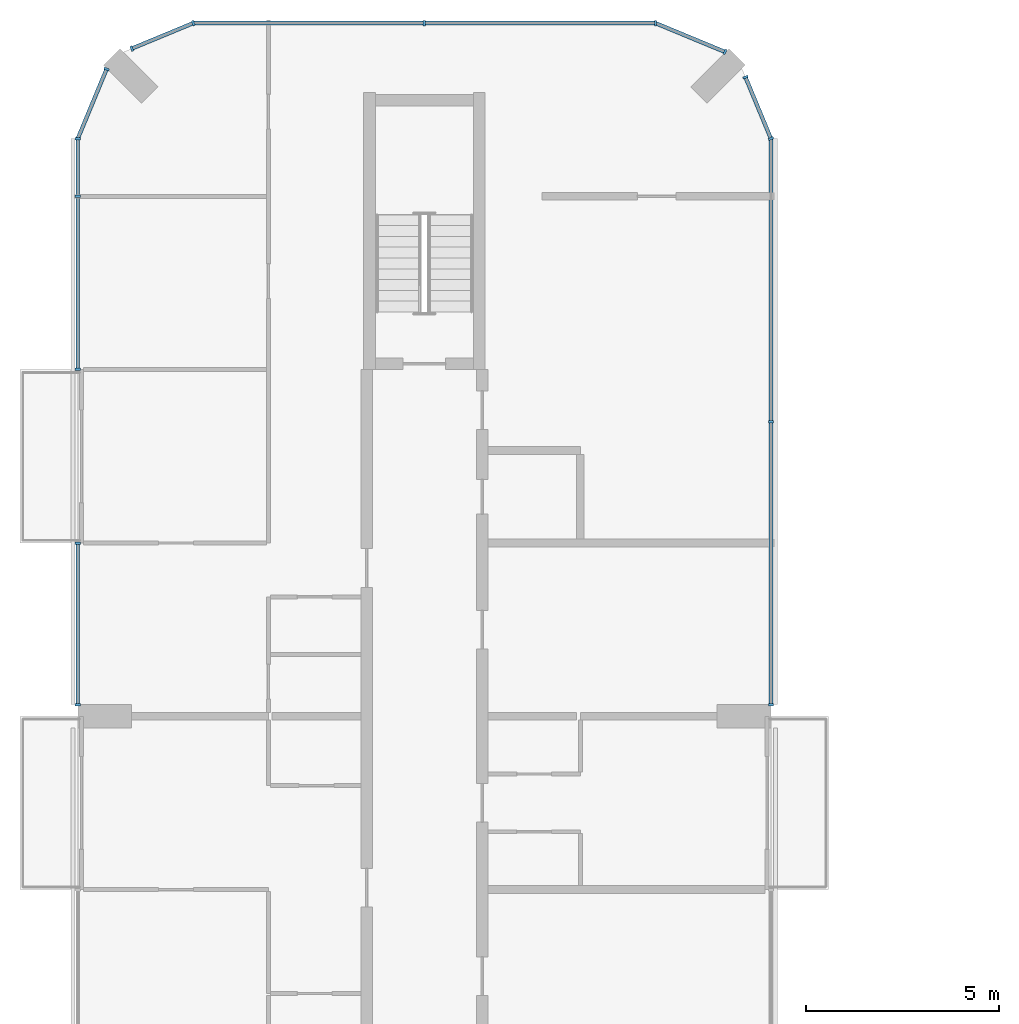
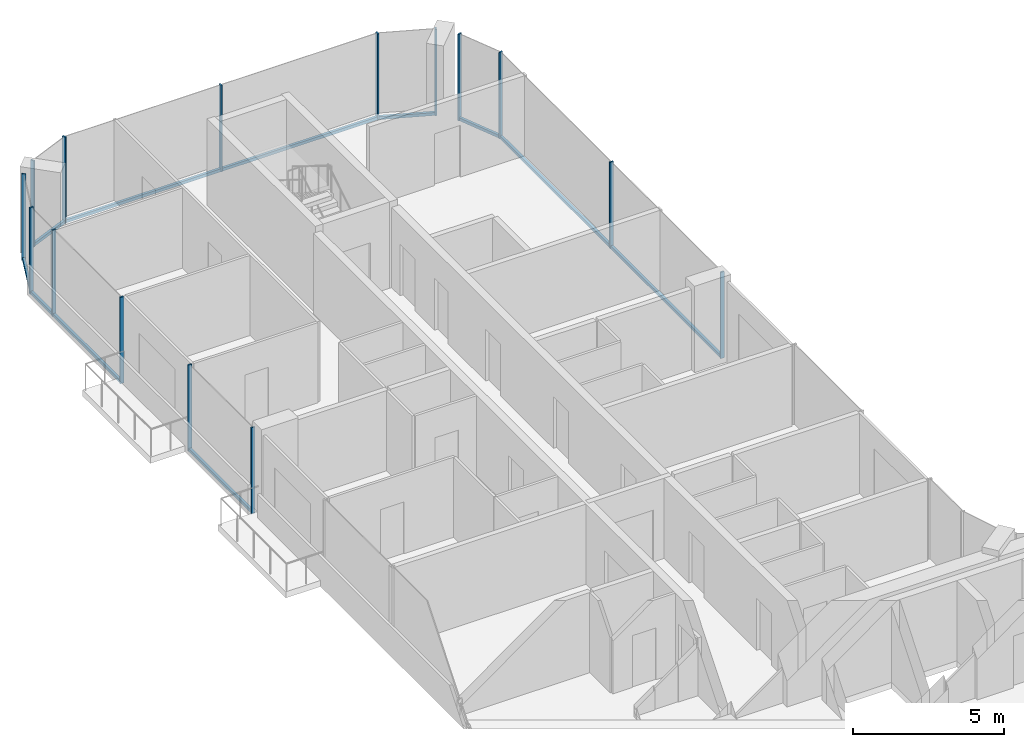
# One storey, part 7 of 15: 23 members, 8 elements without a shape of their own.
"""IFC4 building model written with IfcOpenShell, lengths in metres."""

import ifcopenshell
import ifcopenshell.guid

model = None  # the IFC model being written
_history = None  # IfcOwnerHistory: only IFC2X3 demands one
_inside = {}  # id of a spatial element -> (the spatial element, [elements in it])
_under = {}  # id of a project, library or spatial element -> (it, [spatial elements below it])
_declared = {}  # id of a project -> (the project, [libraries it declares])
_typed = {}  # id of a type object -> (the type object, [elements of that type])
_made_of = {}  # id of a material, layer set ... -> (it, [elements and type objects made of it])


def new_model(schema):
    """Start an empty IFC model of exactly this schema.

    Asked for "IFC4X3", IfcOpenShell would pick the latest addendum, in which some entities
    have other attributes; the version numbers below select the first issue.
    IFC2X3 requires an IfcOwnerHistory on every rooted entity: one is made here for all.
    """
    global model, _history
    if schema == "IFC4X3":
        model = ifcopenshell.file(schema_version=(4, 3, 0, 0))
    else:
        model = ifcopenshell.file(schema=schema)
    _inside.clear()
    _under.clear()
    _declared.clear()
    _typed.clear()
    _made_of.clear()
    _history = None
    if model.schema == "IFC2X3":
        org = make("IfcOrganization", Name="unknown")
        user = make(
            "IfcPersonAndOrganization",
            ThePerson=make("IfcPerson", FamilyName="unknown"),
            TheOrganization=org,
        )
        app = make(
            "IfcApplication",
            ApplicationDeveloper=org,
            Version="unknown",
            ApplicationFullName="unknown",
            ApplicationIdentifier="unknown",
        )
        _history = make(
            "IfcOwnerHistory",
            OwningUser=user,
            OwningApplication=app,
            ChangeAction="ADDED",
            CreationDate=0,
        )
    return model


def make(cls, **values):
    """One entity of the class cls with the attributes given. An attribute that is None is left unset."""
    return model.create_entity(
        cls, **{name: value for name, value in values.items() if value is not None}
    )


def rooted(cls, **values):
    """An entity with a GlobalId (a new one), such as an element, a storey or a relation."""
    return make(cls, GlobalId=ifcopenshell.guid.new(), OwnerHistory=_history, **values)


def si_unit(unit_type, name, prefix=None):
    """IfcSIUnit, for example si_unit("LENGTHUNIT", "METRE", prefix="MILLI")."""
    return make("IfcSIUnit", UnitType=unit_type, Prefix=prefix, Name=name)


def assignment(units):
    """IfcUnitAssignment: the units of a project."""
    return None if units is None else make("IfcUnitAssignment", Units=units)


def point(xyz):
    """IfcCartesianPoint."""
    return None if xyz is None else make("IfcCartesianPoint", Coordinates=xyz)


def direction(xyz):
    """IfcDirection."""
    return None if xyz is None else make("IfcDirection", DirectionRatios=xyz)


def frame(location, z_axis=None, x_axis=None):
    """IfcAxis2Placement3D, a coordinate frame: its origin and axes. An axis left out is left unset."""
    return make(
        "IfcAxis2Placement3D",
        Location=point(location),
        Axis=direction(z_axis),
        RefDirection=direction(x_axis),
    )


def frame_2d(location, x_axis=None):
    """IfcAxis2Placement2D, a coordinate frame in the plane: its origin and x axis."""
    return make(
        "IfcAxis2Placement2D", Location=point(location), RefDirection=direction(x_axis)
    )


def origin():
    """The frame at (0, 0, 0) with its axes left unset."""
    return frame((0.0, 0.0, 0.0))


def origin_2d():
    """The frame at (0, 0) in the plane with its x axis left unset."""
    return frame_2d((0.0, 0.0))


def place(relative_to, where):
    """IfcLocalPlacement: puts the frame where relative to a parent placement (None: the world)."""
    return make(
        "IfcLocalPlacement", PlacementRelTo=relative_to, RelativePlacement=where
    )


def context(
    kind, dimensions, precision=None, world=None, true_north=None, identifier=None
):
    """IfcGeometricRepresentationContext, for example the 3D "Model" context."""
    return make(
        "IfcGeometricRepresentationContext",
        ContextIdentifier=identifier,
        ContextType=kind,
        CoordinateSpaceDimension=dimensions,
        Precision=precision,
        WorldCoordinateSystem=world,
        TrueNorth=true_north,
    )


def subcontext(parent, identifier, kind, view, scale=None):
    """IfcGeometricRepresentationSubContext, for example "Body" below "Model"."""
    return make(
        "IfcGeometricRepresentationSubContext",
        ContextIdentifier=identifier,
        ContextType=kind,
        ParentContext=parent,
        TargetScale=scale,
        TargetView=view,
    )


def project(units=None, contexts=None):
    """IfcProject with its units and contexts."""
    return rooted(
        "IfcProject",
        Name="project",
        RepresentationContexts=contexts,
        UnitsInContext=assignment(units),
    )


def spatial(cls, under=None, at=None, **own):
    """A site, building, storey or space (cls), placed at a placement, below another one or the project."""
    s = rooted(cls, ObjectPlacement=at, **own)
    if under is not None:
        _under.setdefault(under.id(), (under, []))[1].append(s)
    return s


def profile(cls, at=None, kind="AREA", **sizes):
    """A parametric profile (cls). Its sizes go by their IFC names, for example OverallWidth=200.0."""
    return make(cls, ProfileType=kind, Position=at, **sizes)


def rectangle(**sizes):
    """IfcRectangleProfileDef."""
    return profile("IfcRectangleProfileDef", **sizes)


def extrude(swept, where, along, depth):
    """IfcExtrudedAreaSolid: the profile swept, set in the frame where, extruded along a direction by depth."""
    return make(
        "IfcExtrudedAreaSolid",
        SweptArea=swept,
        Position=where,
        ExtrudedDirection=direction(along),
        Depth=depth,
    )


def shape(context_of_items, identifier, shape_type, items):
    """IfcShapeRepresentation: the items that make up one representation, for example the "Body"."""
    return make(
        "IfcShapeRepresentation",
        ContextOfItems=context_of_items,
        RepresentationIdentifier=identifier,
        RepresentationType=shape_type,
        Items=items,
    )


def material(Name=None, Category=None):
    """IfcMaterial."""
    return make("IfcMaterial", Name=Name, Category=Category)


def layer(
    of_material, thickness, ventilated=None, Name=None, Category=None, Priority=None
):
    """IfcMaterialLayer: one layer of a wall or slab, of a material (None: an air gap)."""
    return make(
        "IfcMaterialLayer",
        Material=of_material,
        LayerThickness=thickness,
        IsVentilated=ventilated,
        Name=Name,
        Category=Category,
        Priority=Priority,
    )


def layer_set(layers, Name=None):
    """IfcMaterialLayerSet."""
    return make("IfcMaterialLayerSet", MaterialLayers=layers, LayerSetName=Name)


def material_profile(
    of_material, cross_section, Name=None, Category=None, Priority=None
):
    """IfcMaterialProfile: a cross section and its material."""
    return make(
        "IfcMaterialProfile",
        Name=Name,
        Material=of_material,
        Profile=cross_section,
        Priority=Priority,
        Category=Category,
    )


def profile_set(profiles, Name=None, composite=None):
    """IfcMaterialProfileSet."""
    return make(
        "IfcMaterialProfileSet",
        Name=Name,
        MaterialProfiles=profiles,
        CompositeProfile=composite,
    )


def made_of(thing, what):
    """Note that an element or type object is made of a material, layer set ...; save() writes the relation."""
    if what is not None:
        _made_of.setdefault(what.id(), (what, []))[1].append(thing)
    return thing


def type_object(cls, material=None, **own):
    """A type object (cls), such as IfcWallType, which elements share."""
    return made_of(rooted(cls, **own), material)


def element(
    cls,
    number,
    at=None,
    inside=None,
    cuts=None,
    type_object=None,
    material=None,
    context=None,
    identifier="Body",
    shape_type=None,
    held_by="IfcProductDefinitionShape",
    body=None,
    shapes=None,
    **own,
):
    """One element of the class cls, such as IfcWall. Its Tag is "e" and its number.

    at: its placement. inside: the storey or other place that contains it. cuts: it is an
    opening in that element (IfcRelVoidsElement). A single representation is given by context,
    identifier, shape_type and body (its items); several are given by shapes. held_by: the class
    of the entity that holds the representations. save() writes the other relations.
    """
    e = rooted(cls, Tag="e%d" % number, ObjectPlacement=at, **own)
    if body is not None:
        shapes = [shape(context, identifier, shape_type, body)]
    if shapes is not None:
        e.Representation = make(held_by, Representations=shapes)
    if inside is not None:
        _inside.setdefault(inside.id(), (inside, []))[1].append(e)
    if cuts is not None:
        rooted(
            "IfcRelVoidsElement", RelatingBuildingElement=cuts, RelatedOpeningElement=e
        )
    if type_object is not None:
        _typed.setdefault(type_object.id(), (type_object, []))[1].append(e)
    return made_of(e, material)


def aggregate(whole, parts):
    """IfcRelAggregates: a whole, such as a stair, and the parts it consists of."""
    return rooted("IfcRelAggregates", RelatingObject=whole, RelatedObjects=parts)


def save(model, path):
    """Write the relations noted so far, then the file.

    IfcRelAggregates (storeys below a building ...), IfcRelContainedInSpatialStructure (elements
    in a storey), IfcRelDefinesByType, IfcRelAssociatesMaterial and IfcRelDeclares: one each for
    every whole, place, type object, material and project.
    """
    for whole, parts in _under.values():
        aggregate(whole, parts)
    for where, things in _inside.values():
        rooted(
            "IfcRelContainedInSpatialStructure",
            RelatedElements=things,
            RelatingStructure=where,
        )
    for kind, things in _typed.values():
        rooted("IfcRelDefinesByType", RelatedObjects=things, RelatingType=kind)
    for what, things in _made_of.values():
        rooted("IfcRelAssociatesMaterial", RelatedObjects=things, RelatingMaterial=what)
    for by, libraries in _declared.values():
        rooted("IfcRelDeclares", RelatingContext=by, RelatedDefinitions=libraries)
    model.write(path)


model = new_model("IFC4")

# Units and contexts
model_context = context("Model", 3, precision=1e-05, world=origin(), true_north=direction((0.0, 1.0)))
body_context = subcontext(model_context, "Body", "Model", "MODEL_VIEW")
ifc_project = project(units=[si_unit("LENGTHUNIT", "METRE"), si_unit("AREAUNIT", "SQUARE_METRE"), si_unit("VOLUMEUNIT", "CUBIC_METRE"), si_unit("PLANEANGLEUNIT", "RADIAN"), si_unit("MASSUNIT", "GRAM", prefix="KILO")], contexts=[model_context])

# Site, building, storey
site_placement = place(None, origin())
site = spatial("IfcSite", under=ifc_project, at=site_placement, CompositionType="ELEMENT")
building_placement = place(site_placement, origin())
building = spatial("IfcBuilding", under=site, at=building_placement, Name="Plateau Cross Towers", CompositionType="ELEMENT")
storey_placement = place(building_placement, frame((0.0, 0.0, 174.39990234375)))
storey = spatial("IfcBuildingStorey", under=building, at=storey_placement, Name="L45", CompositionType="ELEMENT", Elevation=174.39990234375)

# Curtain wall, members
ifc_material_1 = material(Name="Dark low-iron glass", Category="glass")
ifc_layer = layer(ifc_material_1, 0.239990234375)
ifc_layer_set = layer_set([ifc_layer], Name="Dark low-iron glass")
curtain_wall_type = type_object("IfcCurtainWallType", Name="Curtain wall flush unitised CW-B", PredefinedType="NOTDEFINED", material=ifc_layer_set)
curtain_wall_1_placement = place(storey_placement, origin())
curtain_wall_1 = element("IfcCurtainWall", 1, at=curtain_wall_1_placement, inside=storey, type_object=curtain_wall_type, Name="ENV/A/L45/A180_363", PredefinedType="NOTDEFINED")
ifc_material_2 = material(Name="Black anodised aluminium", Category="aluminium")
ifc_material_profile_1 = material_profile(ifc_material_2, rectangle(XDim=0.06005859375, YDim=0.139892578125, at=origin_2d()), Name="MULLION 60x140")
ifc_profile_set_1 = profile_set([ifc_material_profile_1], Name="Black anodised aluminium")
member_type_1 = type_object("IfcMemberType", Name="Mullion 60x140 flush unitised", PredefinedType="MULLION", material=ifc_profile_set_1)
member_1_placement = place(storey_placement, frame((18.0, 36.300048828125, -0.25), z_axis=(0.0, 0.0, 1.0), x_axis=(0.0, 1.0, 0.0)))
member_1 = element("IfcMember", 2, at=member_1_placement, type_object=member_type_1, Name="CW-B mullion 1", PredefinedType="MULLION", context=body_context, shape_type="SweptSolid", body=[
    extrude(rectangle(XDim=0.06005859375, YDim=0.139892578125, at=origin_2d()), origin(), (0.0, 0.0, 1.0), 3.5),
])
member_2_placement = place(storey_placement, frame((18.0, 43.64990234375, -0.25), z_axis=(0.0, 0.0, 1.0), x_axis=(0.0, 1.0, 0.0)))
member_2 = element("IfcMember", 3, at=member_2_placement, type_object=member_type_1, Name="CW-B mullion 2", PredefinedType="MULLION", context=body_context, shape_type="SweptSolid", body=[
    extrude(rectangle(XDim=0.06005859375, YDim=0.139892578125, at=origin_2d()), origin(), (0.0, 0.0, 1.0), 3.5),
])

curtain_wall_2_placement = place(storey_placement, origin())
curtain_wall_2 = element("IfcCurtainWall", 4, at=curtain_wall_2_placement, inside=storey, type_object=curtain_wall_type, Name="ENV/A/L45/A180_510", PredefinedType="NOTDEFINED")
member_3_placement = place(storey_placement, frame((18.0, 51.0, -0.25), z_axis=(0.0, 0.0, 1.0), x_axis=(-0.382683612978, 0.923879457699, 0.0)))
member_3 = element("IfcMember", 5, at=member_3_placement, type_object=member_type_1, Name="CW-B mullion 1", PredefinedType="MULLION", context=body_context, shape_type="SweptSolid", body=[
    extrude(rectangle(XDim=0.06005859375, YDim=0.139892578125, at=origin_2d()), origin(), (0.0, 0.0, 1.0), 3.5),
])
member_4_placement = place(storey_placement, frame((17.338623046875, 52.5966796875, -0.25), z_axis=(0.0, 0.0, 1.0), x_axis=(-0.382683612978, 0.923879457699, 0.0)))
member_4 = element("IfcMember", 6, at=member_4_placement, type_object=member_type_1, Name="CW-B mullion 2", PredefinedType="MULLION", context=body_context, shape_type="SweptSolid", body=[
    extrude(rectangle(XDim=0.06005859375, YDim=0.139892578125, at=origin_2d()), origin(), (0.0, 0.0, 1.0), 3.5),
])

# Curtain wall, member
curtain_wall_3_placement = place(storey_placement, origin())
curtain_wall_3 = element("IfcCurtainWall", 7, at=curtain_wall_3_placement, inside=storey, type_object=curtain_wall_type, Name="ENV/A/L45/A168_533", PredefinedType="NOTDEFINED")
member_5_placement = place(storey_placement, frame((16.805908203125, 53.251953125, -0.25), z_axis=(0.0, 0.0, 1.0), x_axis=(-0.923879457699, 0.382683612978, 0.0)))
member_5 = element("IfcMember", 8, at=member_5_placement, type_object=member_type_1, Name="CW-B mullion 1", PredefinedType="MULLION", context=body_context, shape_type="SweptSolid", body=[
    extrude(rectangle(XDim=0.06005859375, YDim=0.139892578125, at=origin_2d()), origin(), (0.0, 0.0, 1.0), 3.5),
])

# Curtain wall, members
curtain_wall_4_placement = place(storey_placement, origin())
curtain_wall_4 = element("IfcCurtainWall", 9, at=curtain_wall_4_placement, inside=storey, type_object=curtain_wall_type, Name="ENV/A/L45/A150_540", PredefinedType="NOTDEFINED")
member_6_placement = place(storey_placement, frame((15.0, 54.0, -0.25), z_axis=(0.0, 0.0, 1.0), x_axis=(-1.0, 0.0, 0.0)))
member_6 = element("IfcMember", 10, at=member_6_placement, type_object=member_type_1, Name="CW-B mullion 1", PredefinedType="MULLION", context=body_context, shape_type="SweptSolid", body=[
    extrude(rectangle(XDim=0.06005859375, YDim=0.139892578125, at=origin_2d()), origin(), (0.0, 0.0, 1.0), 3.5),
])
member_7_placement = place(storey_placement, frame((9.0, 54.0, -0.25), z_axis=(0.0, 0.0, 1.0), x_axis=(-1.0, 0.0, 0.0)))
member_7 = element("IfcMember", 11, at=member_7_placement, type_object=member_type_1, Name="CW-B mullion 2", PredefinedType="MULLION", context=body_context, shape_type="SweptSolid", body=[
    extrude(rectangle(XDim=0.06005859375, YDim=0.139892578125, at=origin_2d()), origin(), (0.0, 0.0, 1.0), 3.5),
])

curtain_wall_5_placement = place(storey_placement, origin())
curtain_wall_5 = element("IfcCurtainWall", 12, at=curtain_wall_5_placement, inside=storey, type_object=curtain_wall_type, Name="ENV/A/L45/A30_540", PredefinedType="NOTDEFINED")
member_8_placement = place(storey_placement, frame((3.0, 54.0, -0.25), z_axis=(0.0, 0.0, 1.0), x_axis=(-0.923879457699, -0.382683612978, 0.0)))
member_8 = element("IfcMember", 13, at=member_8_placement, type_object=member_type_1, Name="CW-B mullion 1", PredefinedType="MULLION", context=body_context, shape_type="SweptSolid", body=[
    extrude(rectangle(XDim=0.06005859375, YDim=0.139892578125, at=origin_2d()), origin(), (0.0, 0.0, 1.0), 3.5),
])
member_9_placement = place(storey_placement, frame((1.4033203125, 53.338623046875, -0.25), z_axis=(0.0, 0.0, 1.0), x_axis=(-0.923879457699, -0.382683612978, 0.0)))
member_9 = element("IfcMember", 14, at=member_9_placement, type_object=member_type_1, Name="CW-B mullion 2", PredefinedType="MULLION", context=body_context, shape_type="SweptSolid", body=[
    extrude(rectangle(XDim=0.06005859375, YDim=0.139892578125, at=origin_2d()), origin(), (0.0, 0.0, 1.0), 3.5),
])

# Curtain wall, member
curtain_wall_6_placement = place(storey_placement, origin())
curtain_wall_6 = element("IfcCurtainWall", 15, at=curtain_wall_6_placement, inside=storey, type_object=curtain_wall_type, Name="ENV/A/L45/A7_528", PredefinedType="NOTDEFINED")
member_10_placement = place(storey_placement, frame((0.748046875, 52.805908203125, -0.25), z_axis=(0.0, 0.0, 1.0), x_axis=(-0.382683612978, -0.923879457699, 0.0)))
member_10 = element("IfcMember", 16, at=member_10_placement, type_object=member_type_1, Name="CW-B mullion 1", PredefinedType="MULLION", context=body_context, shape_type="SweptSolid", body=[
    extrude(rectangle(XDim=0.06005859375, YDim=0.139892578125, at=origin_2d()), origin(), (0.0, 0.0, 1.0), 3.5),
])

# Curtain wall, members
curtain_wall_7_placement = place(storey_placement, origin())
curtain_wall_7 = element("IfcCurtainWall", 17, at=curtain_wall_7_placement, inside=storey, type_object=curtain_wall_type, Name="ENV/A/L45/A0_510", PredefinedType="NOTDEFINED")
member_11_placement = place(storey_placement, frame((0.0, 51.0, -0.25), z_axis=(0.0, 0.0, 1.0), x_axis=(0.0, -1.0, 0.0)))
member_11 = element("IfcMember", 18, at=member_11_placement, type_object=member_type_1, Name="CW-B mullion 1", PredefinedType="MULLION", context=body_context, shape_type="SweptSolid", body=[
    extrude(rectangle(XDim=0.06005859375, YDim=0.139892578125, at=origin_2d()), origin(), (0.0, 0.0, 1.0), 3.5),
])
member_12_placement = place(storey_placement, frame((0.0, 49.5, -0.25), z_axis=(0.0, 0.0, 1.0), x_axis=(0.0, -1.0, 0.0)))
member_12 = element("IfcMember", 19, at=member_12_placement, type_object=member_type_1, Name="CW-B mullion 2", PredefinedType="MULLION", context=body_context, shape_type="SweptSolid", body=[
    extrude(rectangle(XDim=0.06005859375, YDim=0.139892578125, at=origin_2d()), origin(), (0.0, 0.0, 1.0), 3.5),
])
member_13_placement = place(storey_placement, frame((0.0, 45.010009765625, -0.25), z_axis=(0.0, 0.0, 1.0), x_axis=(0.0, -1.0, 0.0)))
member_13 = element("IfcMember", 20, at=member_13_placement, type_object=member_type_1, Name="CW-B mullion 3", PredefinedType="MULLION", context=body_context, shape_type="SweptSolid", body=[
    extrude(rectangle(XDim=0.06005859375, YDim=0.139892578125, at=origin_2d()), origin(), (0.0, 0.0, 1.0), 3.5),
])

curtain_wall_8_placement = place(storey_placement, origin())
curtain_wall_8 = element("IfcCurtainWall", 21, at=curtain_wall_8_placement, inside=storey, type_object=curtain_wall_type, Name="ENV/A/L45/A0_405", PredefinedType="NOTDEFINED")
member_14_placement = place(storey_placement, frame((0.0, 40.489990234375, -0.25), z_axis=(0.0, 0.0, 1.0), x_axis=(0.0, -1.0, 0.0)))
member_14 = element("IfcMember", 22, at=member_14_placement, type_object=member_type_1, Name="CW-B mullion 1", PredefinedType="MULLION", context=body_context, shape_type="SweptSolid", body=[
    extrude(rectangle(XDim=0.06005859375, YDim=0.139892578125, at=origin_2d()), origin(), (0.0, 0.0, 1.0), 3.5),
])
member_15_placement = place(storey_placement, frame((0.0, 36.300048828125, -0.25), z_axis=(0.0, 0.0, 1.0), x_axis=(0.0, -1.0, 0.0)))
member_15 = element("IfcMember", 23, at=member_15_placement, type_object=member_type_1, Name="CW-B mullion 2", PredefinedType="MULLION", context=body_context, shape_type="SweptSolid", body=[
    extrude(rectangle(XDim=0.06005859375, YDim=0.139892578125, at=origin_2d()), origin(), (0.0, 0.0, 1.0), 3.5),
])

# Member
ifc_material_profile_2 = material_profile(ifc_material_2, rectangle(XDim=0.10009765625, YDim=0.1201171875, at=origin_2d()), Name="TRANSOM 100x120")
ifc_profile_set_2 = profile_set([ifc_material_profile_2], Name="Black anodised aluminium")
member_type_2 = type_object("IfcMemberType", Name="Transom 100x120 flush unitised", PredefinedType="USERDEFINED", material=ifc_profile_set_2)
member_16_placement = place(storey_placement, frame((18.0, 36.300048828125, -0.18994140625), z_axis=(0.0, 1.0, 0.0), x_axis=(-1.0, 0.0, 0.0)))
member_16 = element("IfcMember", 24, at=member_16_placement, type_object=member_type_2, Name="CW-B transom", ObjectType="TRANSOM", PredefinedType="USERDEFINED", context=body_context, shape_type="SweptSolid", body=[
    extrude(rectangle(XDim=0.10009765625, YDim=0.1201171875, at=origin_2d()), origin(), (0.0, 0.0, 1.0), 14.699951171875),
])

aggregate(curtain_wall_1, [member_1, member_2, member_16])

member_17_placement = place(storey_placement, frame((18.0, 51.0, -0.18994140625), z_axis=(-0.382688653628, 0.923877369776, 0.0), x_axis=(-0.923877369776, -0.382688653628, 0.0)))
member_17 = element("IfcMember", 25, at=member_17_placement, type_object=member_type_2, Name="CW-B transom", ObjectType="TRANSOM", PredefinedType="USERDEFINED", context=body_context, shape_type="SweptSolid", body=[
    extrude(rectangle(XDim=0.10009765625, YDim=0.1201171875, at=origin_2d()), origin(), (0.0, 0.0, 1.0), 1.728271484375),
])

aggregate(curtain_wall_2, [member_3, member_4, member_17])

member_18_placement = place(storey_placement, frame((16.805908203125, 53.251953125, -0.18994140625), z_axis=(-0.92387678234, 0.382690071798, 0.0), x_axis=(-0.382690071798, -0.92387678234, 0.0)))
member_18 = element("IfcMember", 26, at=member_18_placement, type_object=member_type_2, Name="CW-B transom", ObjectType="TRANSOM", PredefinedType="USERDEFINED", context=body_context, shape_type="SweptSolid", body=[
    extrude(rectangle(XDim=0.10009765625, YDim=0.1201171875, at=origin_2d()), origin(), (0.0, 0.0, 1.0), 1.95458984375),
])

aggregate(curtain_wall_3, [member_5, member_18])

member_19_placement = place(storey_placement, frame((15.0, 54.0, -0.18994140625), z_axis=(-1.0, 0.0, 0.0), x_axis=(0.0, -1.0, 0.0)))
member_19 = element("IfcMember", 27, at=member_19_placement, type_object=member_type_2, Name="CW-B transom", ObjectType="TRANSOM", PredefinedType="USERDEFINED", context=body_context, shape_type="SweptSolid", body=[
    extrude(rectangle(XDim=0.10009765625, YDim=0.1201171875, at=origin_2d()), origin(), (0.0, 0.0, 1.0), 12.0),
])

aggregate(curtain_wall_4, [member_6, member_7, member_19])

member_20_placement = place(storey_placement, frame((3.0, 54.0, -0.18994140625), z_axis=(-0.923877369776, -0.382688653628, 0.0), x_axis=(0.382688653628, -0.923877369776, 0.0)))
member_20 = element("IfcMember", 28, at=member_20_placement, type_object=member_type_2, Name="CW-B transom", ObjectType="TRANSOM", PredefinedType="USERDEFINED", context=body_context, shape_type="SweptSolid", body=[
    extrude(rectangle(XDim=0.10009765625, YDim=0.1201171875, at=origin_2d()), origin(), (0.0, 0.0, 1.0), 1.728271484375),
])

aggregate(curtain_wall_5, [member_8, member_9, member_20])

member_21_placement = place(storey_placement, frame((0.748046875, 52.805908203125, -0.18994140625), z_axis=(-0.382690071798, -0.92387678234, 0.0), x_axis=(0.92387678234, -0.382690071798, 0.0)))
member_21 = element("IfcMember", 29, at=member_21_placement, type_object=member_type_2, Name="CW-B transom", ObjectType="TRANSOM", PredefinedType="USERDEFINED", context=body_context, shape_type="SweptSolid", body=[
    extrude(rectangle(XDim=0.10009765625, YDim=0.1201171875, at=origin_2d()), origin(), (0.0, 0.0, 1.0), 1.95458984375),
])

aggregate(curtain_wall_6, [member_10, member_21])

member_22_placement = place(storey_placement, frame((0.0, 51.0, -0.18994140625), z_axis=(0.0, -1.0, 0.0), x_axis=(1.0, 0.0, 0.0)))
member_22 = element("IfcMember", 30, at=member_22_placement, type_object=member_type_2, Name="CW-B transom", ObjectType="TRANSOM", PredefinedType="USERDEFINED", context=body_context, shape_type="SweptSolid", body=[
    extrude(rectangle(XDim=0.10009765625, YDim=0.1201171875, at=origin_2d()), origin(), (0.0, 0.0, 1.0), 5.989990234375),
])

aggregate(curtain_wall_7, [member_11, member_12, member_13, member_22])

member_23_placement = place(storey_placement, frame((0.0, 40.489990234375, -0.18994140625), z_axis=(0.0, -1.0, 0.0), x_axis=(1.0, 0.0, 0.0)))
member_23 = element("IfcMember", 31, at=member_23_placement, type_object=member_type_2, Name="CW-B transom", ObjectType="TRANSOM", PredefinedType="USERDEFINED", context=body_context, shape_type="SweptSolid", body=[
    extrude(rectangle(XDim=0.10009765625, YDim=0.1201171875, at=origin_2d()), origin(), (0.0, 0.0, 1.0), 4.18994140625),
])

aggregate(curtain_wall_8, [member_14, member_15, member_23])

save(model, "model.ifc")
